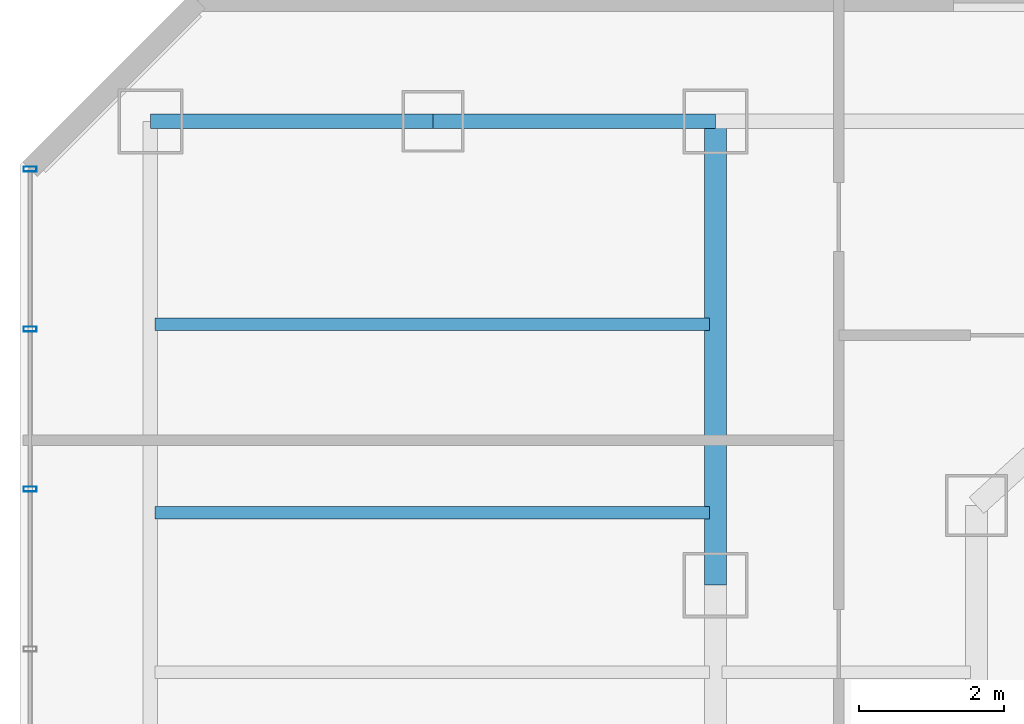
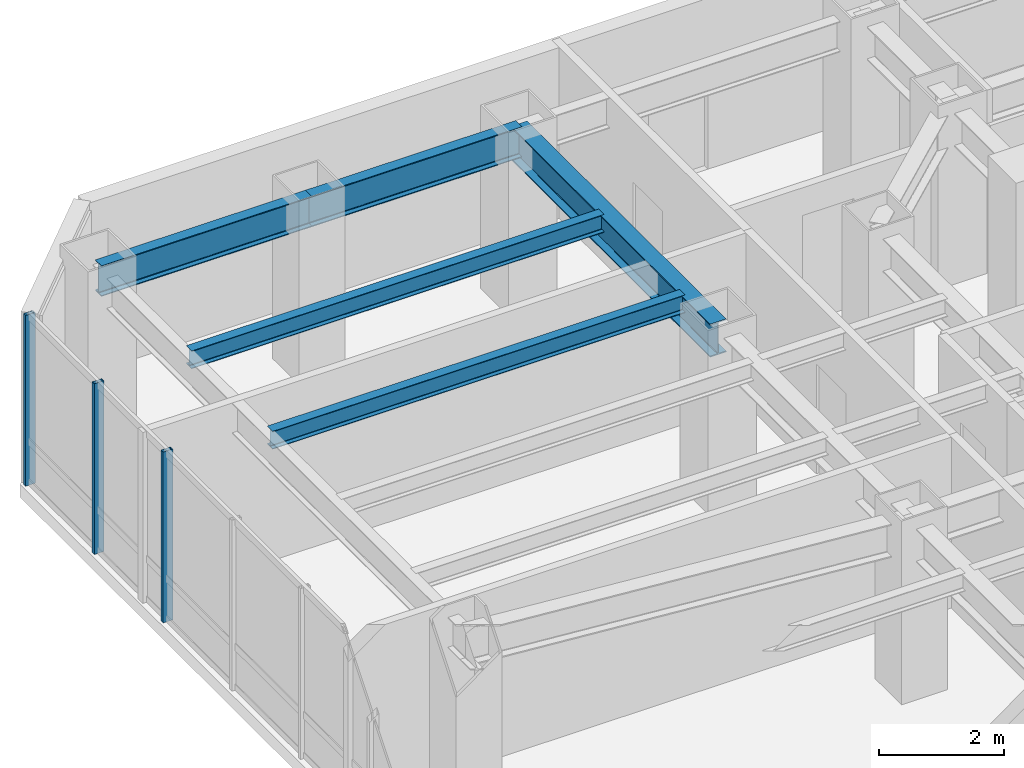
# One storey, part 17 of 31: 5 beams, 3 members, 1 element without a shape of its own.
"""IFC4 building model written with IfcOpenShell, lengths in metres."""

import ifcopenshell
import ifcopenshell.guid

model = None  # the IFC model being written
_history = None  # IfcOwnerHistory: only IFC2X3 demands one
_inside = {}  # id of a spatial element -> (the spatial element, [elements in it])
_under = {}  # id of a project, library or spatial element -> (it, [spatial elements below it])
_declared = {}  # id of a project -> (the project, [libraries it declares])
_typed = {}  # id of a type object -> (the type object, [elements of that type])
_made_of = {}  # id of a material, layer set ... -> (it, [elements and type objects made of it])


def new_model(schema):
    """Start an empty IFC model of exactly this schema.

    Asked for "IFC4X3", IfcOpenShell would pick the latest addendum, in which some entities
    have other attributes; the version numbers below select the first issue.
    IFC2X3 requires an IfcOwnerHistory on every rooted entity: one is made here for all.
    """
    global model, _history
    if schema == "IFC4X3":
        model = ifcopenshell.file(schema_version=(4, 3, 0, 0))
    else:
        model = ifcopenshell.file(schema=schema)
    _inside.clear()
    _under.clear()
    _declared.clear()
    _typed.clear()
    _made_of.clear()
    _history = None
    if model.schema == "IFC2X3":
        org = make("IfcOrganization", Name="unknown")
        user = make(
            "IfcPersonAndOrganization",
            ThePerson=make("IfcPerson", FamilyName="unknown"),
            TheOrganization=org,
        )
        app = make(
            "IfcApplication",
            ApplicationDeveloper=org,
            Version="unknown",
            ApplicationFullName="unknown",
            ApplicationIdentifier="unknown",
        )
        _history = make(
            "IfcOwnerHistory",
            OwningUser=user,
            OwningApplication=app,
            ChangeAction="ADDED",
            CreationDate=0,
        )
    return model


def make(cls, **values):
    """One entity of the class cls with the attributes given. An attribute that is None is left unset."""
    return model.create_entity(
        cls, **{name: value for name, value in values.items() if value is not None}
    )


def rooted(cls, **values):
    """An entity with a GlobalId (a new one), such as an element, a storey or a relation."""
    return make(cls, GlobalId=ifcopenshell.guid.new(), OwnerHistory=_history, **values)


def si_unit(unit_type, name, prefix=None):
    """IfcSIUnit, for example si_unit("LENGTHUNIT", "METRE", prefix="MILLI")."""
    return make("IfcSIUnit", UnitType=unit_type, Prefix=prefix, Name=name)


def assignment(units):
    """IfcUnitAssignment: the units of a project."""
    return None if units is None else make("IfcUnitAssignment", Units=units)


def point(xyz):
    """IfcCartesianPoint."""
    return None if xyz is None else make("IfcCartesianPoint", Coordinates=xyz)


def direction(xyz):
    """IfcDirection."""
    return None if xyz is None else make("IfcDirection", DirectionRatios=xyz)


def frame(location, z_axis=None, x_axis=None):
    """IfcAxis2Placement3D, a coordinate frame: its origin and axes. An axis left out is left unset."""
    return make(
        "IfcAxis2Placement3D",
        Location=point(location),
        Axis=direction(z_axis),
        RefDirection=direction(x_axis),
    )


def frame_2d(location, x_axis=None):
    """IfcAxis2Placement2D, a coordinate frame in the plane: its origin and x axis."""
    return make(
        "IfcAxis2Placement2D", Location=point(location), RefDirection=direction(x_axis)
    )


def origin():
    """The frame at (0, 0, 0) with its axes left unset."""
    return frame((0.0, 0.0, 0.0))


def origin_2d():
    """The frame at (0, 0) in the plane with its x axis left unset."""
    return frame_2d((0.0, 0.0))


def place(relative_to, where):
    """IfcLocalPlacement: puts the frame where relative to a parent placement (None: the world)."""
    return make(
        "IfcLocalPlacement", PlacementRelTo=relative_to, RelativePlacement=where
    )


def context(
    kind, dimensions, precision=None, world=None, true_north=None, identifier=None
):
    """IfcGeometricRepresentationContext, for example the 3D "Model" context."""
    return make(
        "IfcGeometricRepresentationContext",
        ContextIdentifier=identifier,
        ContextType=kind,
        CoordinateSpaceDimension=dimensions,
        Precision=precision,
        WorldCoordinateSystem=world,
        TrueNorth=true_north,
    )


def subcontext(parent, identifier, kind, view, scale=None):
    """IfcGeometricRepresentationSubContext, for example "Body" below "Model"."""
    return make(
        "IfcGeometricRepresentationSubContext",
        ContextIdentifier=identifier,
        ContextType=kind,
        ParentContext=parent,
        TargetScale=scale,
        TargetView=view,
    )


def project(units=None, contexts=None):
    """IfcProject with its units and contexts."""
    return rooted(
        "IfcProject",
        Name="project",
        RepresentationContexts=contexts,
        UnitsInContext=assignment(units),
    )


def spatial(cls, under=None, at=None, **own):
    """A site, building, storey or space (cls), placed at a placement, below another one or the project."""
    s = rooted(cls, ObjectPlacement=at, **own)
    if under is not None:
        _under.setdefault(under.id(), (under, []))[1].append(s)
    return s


def profile(cls, at=None, kind="AREA", **sizes):
    """A parametric profile (cls). Its sizes go by their IFC names, for example OverallWidth=200.0."""
    return make(cls, ProfileType=kind, Position=at, **sizes)


def hollow_rectangle(**sizes):
    """IfcRectangleHollowProfileDef."""
    return profile("IfcRectangleHollowProfileDef", **sizes)


def i_section(**sizes):
    """IfcIShapeProfileDef."""
    return profile("IfcIShapeProfileDef", **sizes)


def extrude(swept, where, along, depth):
    """IfcExtrudedAreaSolid: the profile swept, set in the frame where, extruded along a direction by depth."""
    return make(
        "IfcExtrudedAreaSolid",
        SweptArea=swept,
        Position=where,
        ExtrudedDirection=direction(along),
        Depth=depth,
    )


def shape(context_of_items, identifier, shape_type, items):
    """IfcShapeRepresentation: the items that make up one representation, for example the "Body"."""
    return make(
        "IfcShapeRepresentation",
        ContextOfItems=context_of_items,
        RepresentationIdentifier=identifier,
        RepresentationType=shape_type,
        Items=items,
    )


def material(Name=None, Category=None):
    """IfcMaterial."""
    return make("IfcMaterial", Name=Name, Category=Category)


def layer(
    of_material, thickness, ventilated=None, Name=None, Category=None, Priority=None
):
    """IfcMaterialLayer: one layer of a wall or slab, of a material (None: an air gap)."""
    return make(
        "IfcMaterialLayer",
        Material=of_material,
        LayerThickness=thickness,
        IsVentilated=ventilated,
        Name=Name,
        Category=Category,
        Priority=Priority,
    )


def layer_set(layers, Name=None):
    """IfcMaterialLayerSet."""
    return make("IfcMaterialLayerSet", MaterialLayers=layers, LayerSetName=Name)


def material_profile(
    of_material, cross_section, Name=None, Category=None, Priority=None
):
    """IfcMaterialProfile: a cross section and its material."""
    return make(
        "IfcMaterialProfile",
        Name=Name,
        Material=of_material,
        Profile=cross_section,
        Priority=Priority,
        Category=Category,
    )


def profile_set(profiles, Name=None, composite=None):
    """IfcMaterialProfileSet."""
    return make(
        "IfcMaterialProfileSet",
        Name=Name,
        MaterialProfiles=profiles,
        CompositeProfile=composite,
    )


def made_of(thing, what):
    """Note that an element or type object is made of a material, layer set ...; save() writes the relation."""
    if what is not None:
        _made_of.setdefault(what.id(), (what, []))[1].append(thing)
    return thing


def type_object(cls, material=None, **own):
    """A type object (cls), such as IfcWallType, which elements share."""
    return made_of(rooted(cls, **own), material)


def element(
    cls,
    number,
    at=None,
    inside=None,
    cuts=None,
    type_object=None,
    material=None,
    context=None,
    identifier="Body",
    shape_type=None,
    held_by="IfcProductDefinitionShape",
    body=None,
    shapes=None,
    **own,
):
    """One element of the class cls, such as IfcWall. Its Tag is "e" and its number.

    at: its placement. inside: the storey or other place that contains it. cuts: it is an
    opening in that element (IfcRelVoidsElement). A single representation is given by context,
    identifier, shape_type and body (its items); several are given by shapes. held_by: the class
    of the entity that holds the representations. save() writes the other relations.
    """
    e = rooted(cls, Tag="e%d" % number, ObjectPlacement=at, **own)
    if body is not None:
        shapes = [shape(context, identifier, shape_type, body)]
    if shapes is not None:
        e.Representation = make(held_by, Representations=shapes)
    if inside is not None:
        _inside.setdefault(inside.id(), (inside, []))[1].append(e)
    if cuts is not None:
        rooted(
            "IfcRelVoidsElement", RelatingBuildingElement=cuts, RelatedOpeningElement=e
        )
    if type_object is not None:
        _typed.setdefault(type_object.id(), (type_object, []))[1].append(e)
    return made_of(e, material)


def aggregate(whole, parts):
    """IfcRelAggregates: a whole, such as a stair, and the parts it consists of."""
    return rooted("IfcRelAggregates", RelatingObject=whole, RelatedObjects=parts)


def save(model, path):
    """Write the relations noted so far, then the file.

    IfcRelAggregates (storeys below a building ...), IfcRelContainedInSpatialStructure (elements
    in a storey), IfcRelDefinesByType, IfcRelAssociatesMaterial and IfcRelDeclares: one each for
    every whole, place, type object, material and project.
    """
    for whole, parts in _under.values():
        aggregate(whole, parts)
    for where, things in _inside.values():
        rooted(
            "IfcRelContainedInSpatialStructure",
            RelatedElements=things,
            RelatingStructure=where,
        )
    for kind, things in _typed.values():
        rooted("IfcRelDefinesByType", RelatedObjects=things, RelatingType=kind)
    for what, things in _made_of.values():
        rooted("IfcRelAssociatesMaterial", RelatedObjects=things, RelatingMaterial=what)
    for by, libraries in _declared.values():
        rooted("IfcRelDeclares", RelatingContext=by, RelatedDefinitions=libraries)
    model.write(path)


model = new_model("IFC4")

# Units and contexts
model_context = context("Model", 3, precision=1e-05, world=origin(), true_north=direction((0.0, 1.0)))
body_context = subcontext(model_context, "Body", "Model", "MODEL_VIEW")
ifc_project = project(units=[si_unit("LENGTHUNIT", "METRE"), si_unit("AREAUNIT", "SQUARE_METRE"), si_unit("VOLUMEUNIT", "CUBIC_METRE"), si_unit("PLANEANGLEUNIT", "RADIAN"), si_unit("MASSUNIT", "GRAM", prefix="KILO")], contexts=[model_context])

# Site, building, storey
site_placement = place(None, origin())
site = spatial("IfcSite", under=ifc_project, at=site_placement, CompositionType="ELEMENT")
building_placement = place(site_placement, origin())
building = spatial("IfcBuilding", under=site, at=building_placement, Name="Hatsunagi Terrace Concourse", CompositionType="ELEMENT")
storey_placement = place(building_placement, frame((0.0, 0.0, 122.85009765625)))
storey = spatial("IfcBuildingStorey", under=building, at=storey_placement, Name="L32", CompositionType="ELEMENT", Elevation=122.85009765625)

# Curtain wall, members
ifc_material_1 = material(Name="Anodised Aluminium Alloy 6063-T5", Category="aluminium")
ifc_layer = layer(ifc_material_1, 0.199951171875)
ifc_layer_set = layer_set([ifc_layer], Name="OfficeZone1_CW03")
curtain_wall_type = type_object("IfcCurtainWallType", Name="OfficeZone1_CW03", PredefinedType="NOTDEFINED", material=ifc_layer_set)
curtain_wall_placement = place(storey_placement, origin())
curtain_wall = element("IfcCurtainWall", 1, at=curtain_wall_placement, inside=storey, type_object=curtain_wall_type, Name="Unitised Curtain Wall CW-03 CW-L32-09", PredefinedType="NOTDEFINED")
ifc_material_2 = material(Name="Anodised Aluminium Alloy 6063-T5", Category="aluminium")
ifc_material_profile_1 = material_profile(ifc_material_2, hollow_rectangle(XDim=0.070068359375, YDim=0.179931640625, WallThickness=0.00390625, at=origin_2d()), Name="ALU-MUL-180x70x4")
ifc_profile_set_1 = profile_set([ifc_material_profile_1], Name="Anodised Aluminium Alloy 6063-T5")
member_type = type_object("IfcMemberType", Name="CurtainWallMullion_180x70", PredefinedType="MULLION", material=ifc_profile_set_1)
member_1_placement = place(storey_placement, frame((9.739990234375, 43.52490234375, 0.0), z_axis=(0.0, 0.0, 1.0), x_axis=(0.0, 1.0, 0.0)))
member_1 = element("IfcMember", 2, at=member_1_placement, type_object=member_type, Name="Curtain Wall Mullion MUL-02", PredefinedType="MULLION", context=body_context, shape_type="SweptSolid", body=[
    extrude(hollow_rectangle(XDim=0.070068359375, YDim=0.179931640625, WallThickness=0.00390625, at=origin_2d()), origin(), (0.0, 0.0, 1.0), 3.349853515625),
])
member_2_placement = place(storey_placement, frame((9.739990234375, 45.73388671875, 0.0), z_axis=(0.0, 0.0, 1.0), x_axis=(0.0, 1.0, 0.0)))
member_2 = element("IfcMember", 3, at=member_2_placement, type_object=member_type, Name="Curtain Wall Mullion MUL-02", PredefinedType="MULLION", context=body_context, shape_type="SweptSolid", body=[
    extrude(hollow_rectangle(XDim=0.070068359375, YDim=0.179931640625, WallThickness=0.00390625, at=origin_2d()), origin(), (0.0, 0.0, 1.0), 3.349853515625),
])
member_3_placement = place(storey_placement, frame((9.739990234375, 47.94189453125, 0.0), z_axis=(0.0, 0.0, 1.0), x_axis=(0.0, 1.0, 0.0)))
member_3 = element("IfcMember", 4, at=member_3_placement, type_object=member_type, Name="Curtain Wall Mullion MUL-02", PredefinedType="MULLION", context=body_context, shape_type="SweptSolid", body=[
    extrude(hollow_rectangle(XDim=0.070068359375, YDim=0.179931640625, WallThickness=0.00390625, at=origin_2d()), origin(), (0.0, 0.0, 1.0), 3.349853515625),
])
aggregate(curtain_wall, [member_1, member_2, member_3])

# Beams
ifc_material_3 = material(Name="Steel SN490B", Category="steel")
ifc_material_profile_2 = material_profile(ifc_material_3, i_section(OverallWidth=0.175048828125, OverallDepth=0.35009765625, WebThickness=0.007080078125, FlangeThickness=0.010986328125, FilletRadius=0.012939453125, at=origin_2d()), Name="H-350x175x7x11")
ifc_profile_set_2 = profile_set([ifc_material_profile_2], Name="Steel SN490B")
beam_type_1 = type_object("IfcBeamType", Name="HotelJoist_H_350x175", PredefinedType="JOIST", material=ifc_profile_set_2)
for number, where, z_axis, x_axis, name in (
    (5, (11.465087890625, 43.199951171875, 3.1748046875), (1.0, 0.0, 0.0), (0.0, 1.0, 0.0), "Beam J-02 J-L32-W-11-432"),
    (6, (11.465087890625, 45.800048828125, 3.1748046875), (1.0, 0.0, 0.0), (0.0, 1.0, 0.0), "Beam J-02 J-L32-W-11-458"),
):
    element("IfcBeam", number, at=place(storey_placement, frame(where, z_axis=z_axis, x_axis=x_axis)), inside=storey, type_object=beam_type_1, Name=name, PredefinedType="JOIST", context=body_context, shape_type="SweptSolid", body=[
        extrude(i_section(OverallWidth=0.175048828125, OverallDepth=0.35009765625, WebThickness=0.007080078125, FlangeThickness=0.010986328125, FilletRadius=0.012939453125, at=origin_2d()), origin(), (0.0, 0.0, 1.0), 7.64990234375),
    ])
ifc_material_4 = material(Name="Steel SN490B", Category="steel")
ifc_material_profile_3 = material_profile(ifc_material_4, i_section(OverallWidth=0.300048828125, OverallDepth=0.64990234375, WebThickness=0.012939453125, FlangeThickness=0.02197265625, FilletRadius=0.01806640625, at=origin_2d()), Name="H-650x300x13x22")
ifc_profile_set_3 = profile_set([ifc_material_profile_3], Name="Steel SN490B")
beam_type_2 = type_object("IfcBeamType", Name="OfficeLowGirder_H_650x300", PredefinedType="BEAM", material=ifc_profile_set_3)
beam_1_placement = place(storey_placement, frame((19.199951171875, 42.199951171875, 3.02490234375), z_axis=(0.0, 1.0, 0.0), x_axis=(-1.0, 0.0, 0.0)))
element("IfcBeam", 7, at=beam_1_placement, inside=storey, type_object=beam_type_2, Name="Beam G-05 BM-L32-NS-19-42", PredefinedType="BEAM", context=body_context, shape_type="SweptSolid", body=[
    extrude(i_section(OverallWidth=0.300048828125, OverallDepth=0.64990234375, WebThickness=0.012939453125, FlangeThickness=0.02197265625, FilletRadius=0.01806640625, at=origin_2d()), origin(), (0.0, 0.0, 1.0), 6.400146484375),
])
ifc_material_5 = material(Name="Steel SN490B", Category="steel")
ifc_material_profile_4 = material_profile(ifc_material_5, i_section(OverallWidth=0.199951171875, OverallDepth=0.60009765625, WebThickness=0.010986328125, FlangeThickness=0.01708984375, FilletRadius=0.01806640625, at=origin_2d()), Name="H-600x200x11x17")
ifc_profile_set_4 = profile_set([ifc_material_profile_4], Name="Steel SN490B")
beam_type_3 = type_object("IfcBeamType", Name="PerimeterSpandrel_H_600x200", PredefinedType="SPANDREL", material=ifc_profile_set_4)
beam_2_placement = place(storey_placement, frame((11.39990234375, 48.60009765625, 3.0498046875), z_axis=(1.0, 0.0, 0.0), x_axis=(0.0, 1.0, 0.0)))
element("IfcBeam", 8, at=beam_2_placement, inside=storey, type_object=beam_type_3, Name="Beam SP-01 BM-L32-WN-11", PredefinedType="SPANDREL", context=body_context, shape_type="SweptSolid", body=[
    extrude(i_section(OverallWidth=0.199951171875, OverallDepth=0.60009765625, WebThickness=0.010986328125, FlangeThickness=0.01708984375, FilletRadius=0.01806640625, at=origin_2d()), origin(), (0.0, 0.0, 1.0), 3.900146484375),
])
beam_3_placement = place(storey_placement, frame((15.300048828125, 48.60009765625, 3.0498046875), z_axis=(1.0, 0.0, 0.0), x_axis=(0.0, 1.0, 0.0)))
element("IfcBeam", 9, at=beam_3_placement, inside=storey, type_object=beam_type_3, Name="Beam SP-01 BM-L32-WN-15", PredefinedType="SPANDREL", context=body_context, shape_type="SweptSolid", body=[
    extrude(i_section(OverallWidth=0.199951171875, OverallDepth=0.60009765625, WebThickness=0.010986328125, FlangeThickness=0.01708984375, FilletRadius=0.01806640625, at=origin_2d()), origin(), (0.0, 0.0, 1.0), 3.89990234375),
])

save(model, "model.ifc")
